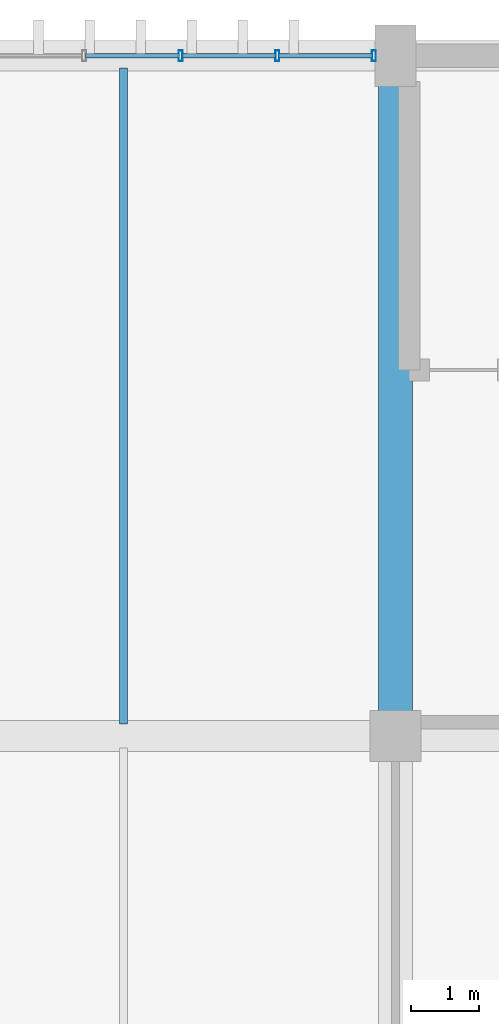
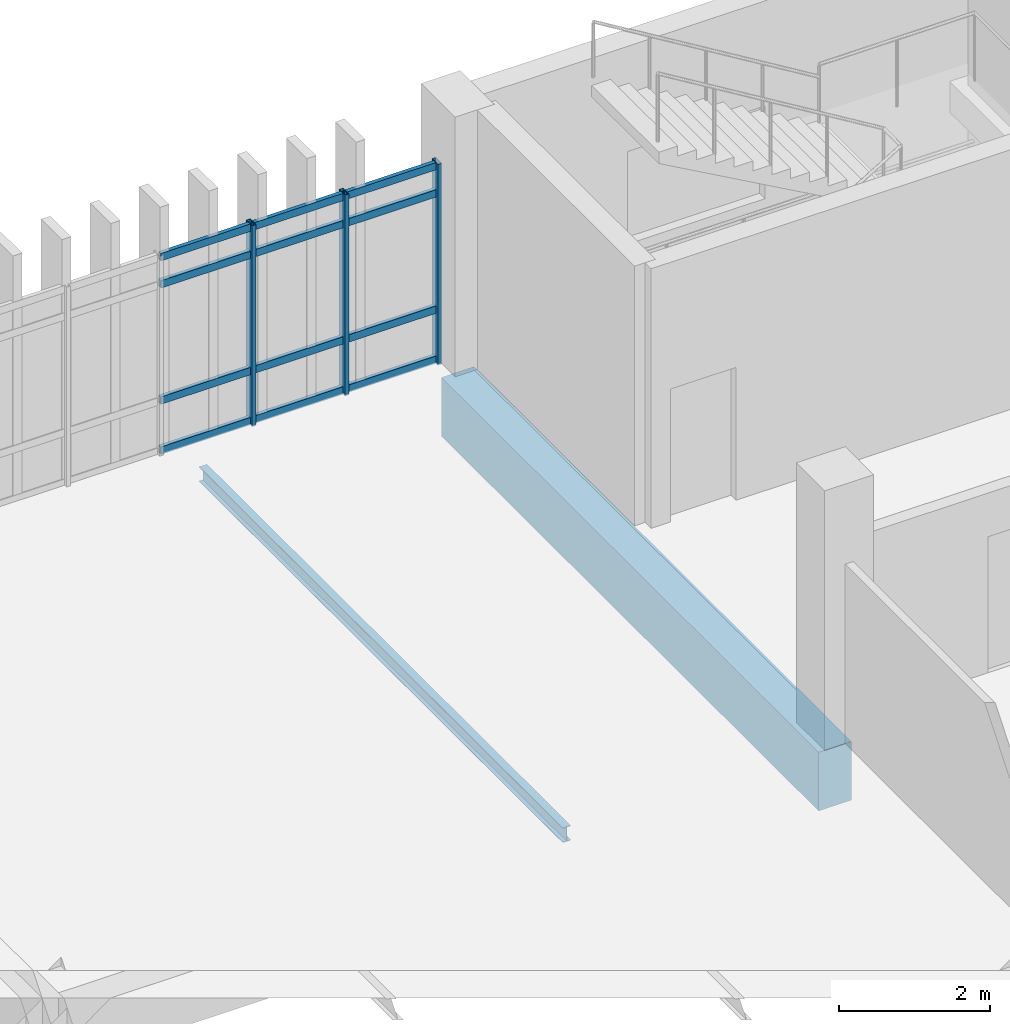
# One storey, part 33 of 111: 15 members, 2 beams, 1 element without a shape of its own.
"""IFC4 building model written with IfcOpenShell, lengths in metres."""

from ifc_helpers import new_model, si_unit, direction, frame, origin, origin_2d, place, context, subcontext, project, spatial, rectangle, hollow_rectangle, i_section, extrude, material, layer, layer_set, material_profile, profile_set, type_object, element, aggregate, save


model = new_model("IFC4")

# Units and contexts
model_context = context("Model", 3, precision=1e-05, world=origin(), true_north=direction((0.0, 1.0)))
body_context = subcontext(model_context, "Body", "Model", "MODEL_VIEW")
ifc_project = project(units=[si_unit("LENGTHUNIT", "METRE"), si_unit("AREAUNIT", "SQUARE_METRE"), si_unit("VOLUMEUNIT", "CUBIC_METRE"), si_unit("PLANEANGLEUNIT", "RADIAN"), si_unit("MASSUNIT", "GRAM", prefix="KILO")], contexts=[model_context])

# Site, building, storey
site_placement = place(None, origin())
site = spatial("IfcSite", under=ifc_project, at=site_placement, CompositionType="ELEMENT")
building_placement = place(site_placement, origin())
building = spatial("IfcBuilding", under=site, at=building_placement, Name="Mersad Railyard Sports Hall", CompositionType="ELEMENT")
storey_placement = place(building_placement, frame((0.0, 0.0, 9.0)))
storey = spatial("IfcBuildingStorey", under=building, at=storey_placement, Name="L02", CompositionType="ELEMENT", Elevation=9.0)

# Curtain wall, members
ifc_material_1 = material(Name="Aluminium 6063-T6", Category="aluminium")
ifc_layer = layer(ifc_material_1, 0.159912109375)
ifc_layer_set = layer_set([ifc_layer], Name="Aluminium 6063-T6")
curtain_wall_type = type_object("IfcCurtainWallType", Name="ARC-CW-CW52", PredefinedType="USERDEFINED", material=ifc_layer_set)
curtain_wall_placement = place(storey_placement, origin())
curtain_wall = element("IfcCurtainWall", 1, at=curtain_wall_placement, inside=storey, type_object=curtain_wall_type, Name="Curtain wall CW52-0139", ObjectType="CURTAIN WALL", PredefinedType="USERDEFINED")
ifc_material_profile_1 = material_profile(ifc_material_1, hollow_rectangle(XDim=0.06005859375, YDim=0.159912109375, WallThickness=0.00390625, at=origin_2d()), Name="AL MULLION 60x160x4")
ifc_profile_set_1 = profile_set([ifc_material_profile_1], Name="Aluminium 6063-T6")
member_type_1 = type_object("IfcMemberType", Name="ARC-CW-MUL01", PredefinedType="MULLION", material=ifc_profile_set_1)
member_1_placement = place(storey_placement, frame((63.840087890625, 115.0, -0.02001953125), z_axis=(0.0, 0.0, 1.0), x_axis=(1.0, 0.0, 0.0)))
member_1 = element("IfcMember", 2, at=member_1_placement, type_object=member_type_1, Name="CW52 Mullion 7", PredefinedType="MULLION", context=body_context, shape_type="SweptSolid", body=[
    extrude(hollow_rectangle(XDim=0.06005859375, YDim=0.159912109375, WallThickness=0.00390625, at=origin_2d()), origin(), (0.0, 0.0, 1.0), 3.25),
])
member_2_placement = place(storey_placement, frame((65.260009765625, 115.0, -0.02001953125), z_axis=(0.0, 0.0, 1.0), x_axis=(1.0, 0.0, 0.0)))
member_2 = element("IfcMember", 3, at=member_2_placement, type_object=member_type_1, Name="CW52 Mullion 8", PredefinedType="MULLION", context=body_context, shape_type="SweptSolid", body=[
    extrude(hollow_rectangle(XDim=0.06005859375, YDim=0.159912109375, WallThickness=0.00390625, at=origin_2d()), origin(), (0.0, 0.0, 1.0), 3.25),
])
member_3_placement = place(storey_placement, frame((66.679931640625, 115.0, -0.02001953125), z_axis=(0.0, 0.0, 1.0), x_axis=(1.0, 0.0, 0.0)))
member_3 = element("IfcMember", 4, at=member_3_placement, type_object=member_type_1, Name="CW52 Mullion 9", PredefinedType="MULLION", context=body_context, shape_type="SweptSolid", body=[
    extrude(hollow_rectangle(XDim=0.06005859375, YDim=0.159912109375, WallThickness=0.00390625, at=origin_2d()), origin(), (0.0, 0.0, 1.0), 3.25),
])
ifc_material_profile_2 = material_profile(ifc_material_1, hollow_rectangle(XDim=0.06005859375, YDim=0.1201171875, WallThickness=0.00390625, at=origin_2d()), Name="AL TRANSOM 60x120x4")
ifc_profile_set_2 = profile_set([ifc_material_profile_2], Name="Aluminium 6063-T6")
member_type_2 = type_object("IfcMemberType", Name="ARC-CW-TRN01", PredefinedType="USERDEFINED", material=ifc_profile_set_2)
member_4_placement = place(storey_placement, frame((62.43994140625, 115.0, 0.0400390625), z_axis=(1.0, 0.0, 0.0), x_axis=(0.0, 1.0, 0.0)))
member_4 = element("IfcMember", 5, at=member_4_placement, type_object=member_type_2, Name="CW52 Transom 1-6", ObjectType="TRANSOM", PredefinedType="USERDEFINED", context=body_context, shape_type="SweptSolid", body=[
    extrude(hollow_rectangle(XDim=0.06005859375, YDim=0.1201171875, WallThickness=0.00390625, at=origin_2d()), origin(), (0.0, 0.0, 1.0), 1.380126953125),
])
member_5_placement = place(storey_placement, frame((63.860107421875, 115.0, 0.0400390625), z_axis=(1.0, 0.0, 0.0), x_axis=(0.0, 1.0, 0.0)))
member_5 = element("IfcMember", 6, at=member_5_placement, type_object=member_type_2, Name="CW52 Transom 1-7", ObjectType="TRANSOM", PredefinedType="USERDEFINED", context=body_context, shape_type="SweptSolid", body=[
    extrude(hollow_rectangle(XDim=0.06005859375, YDim=0.1201171875, WallThickness=0.00390625, at=origin_2d()), origin(), (0.0, 0.0, 1.0), 1.3798828125),
])
member_6_placement = place(storey_placement, frame((65.280029296875, 115.0, 0.0400390625), z_axis=(1.0, 0.0, 0.0), x_axis=(0.0, 1.0, 0.0)))
member_6 = element("IfcMember", 7, at=member_6_placement, type_object=member_type_2, Name="CW52 Transom 1-8", ObjectType="TRANSOM", PredefinedType="USERDEFINED", context=body_context, shape_type="SweptSolid", body=[
    extrude(hollow_rectangle(XDim=0.06005859375, YDim=0.1201171875, WallThickness=0.00390625, at=origin_2d()), origin(), (0.0, 0.0, 1.0), 1.3798828125),
])
member_7_placement = place(storey_placement, frame((62.43994140625, 115.0, 0.85009765625), z_axis=(1.0, 0.0, 0.0), x_axis=(0.0, 1.0, 0.0)))
member_7 = element("IfcMember", 8, at=member_7_placement, type_object=member_type_2, Name="CW52 Transom 2-6", ObjectType="TRANSOM", PredefinedType="USERDEFINED", context=body_context, shape_type="SweptSolid", body=[
    extrude(hollow_rectangle(XDim=0.06005859375, YDim=0.1201171875, WallThickness=0.00390625, at=origin_2d()), origin(), (0.0, 0.0, 1.0), 1.380126953125),
])
member_8_placement = place(storey_placement, frame((63.860107421875, 115.0, 0.85009765625), z_axis=(1.0, 0.0, 0.0), x_axis=(0.0, 1.0, 0.0)))
member_8 = element("IfcMember", 9, at=member_8_placement, type_object=member_type_2, Name="CW52 Transom 2-7", ObjectType="TRANSOM", PredefinedType="USERDEFINED", context=body_context, shape_type="SweptSolid", body=[
    extrude(hollow_rectangle(XDim=0.06005859375, YDim=0.1201171875, WallThickness=0.00390625, at=origin_2d()), origin(), (0.0, 0.0, 1.0), 1.3798828125),
])
member_9_placement = place(storey_placement, frame((65.280029296875, 115.0, 0.85009765625), z_axis=(1.0, 0.0, 0.0), x_axis=(0.0, 1.0, 0.0)))
member_9 = element("IfcMember", 10, at=member_9_placement, type_object=member_type_2, Name="CW52 Transom 2-8", ObjectType="TRANSOM", PredefinedType="USERDEFINED", context=body_context, shape_type="SweptSolid", body=[
    extrude(hollow_rectangle(XDim=0.06005859375, YDim=0.1201171875, WallThickness=0.00390625, at=origin_2d()), origin(), (0.0, 0.0, 1.0), 1.3798828125),
])
member_10_placement = place(storey_placement, frame((62.43994140625, 115.0, 2.72998046875), z_axis=(1.0, 0.0, 0.0), x_axis=(0.0, 1.0, 0.0)))
member_10 = element("IfcMember", 11, at=member_10_placement, type_object=member_type_2, Name="CW52 Transom 3-6", ObjectType="TRANSOM", PredefinedType="USERDEFINED", context=body_context, shape_type="SweptSolid", body=[
    extrude(hollow_rectangle(XDim=0.06005859375, YDim=0.1201171875, WallThickness=0.00390625, at=origin_2d()), origin(), (0.0, 0.0, 1.0), 1.380126953125),
])
member_11_placement = place(storey_placement, frame((63.860107421875, 115.0, 2.72998046875), z_axis=(1.0, 0.0, 0.0), x_axis=(0.0, 1.0, 0.0)))
member_11 = element("IfcMember", 12, at=member_11_placement, type_object=member_type_2, Name="CW52 Transom 3-7", ObjectType="TRANSOM", PredefinedType="USERDEFINED", context=body_context, shape_type="SweptSolid", body=[
    extrude(hollow_rectangle(XDim=0.06005859375, YDim=0.1201171875, WallThickness=0.00390625, at=origin_2d()), origin(), (0.0, 0.0, 1.0), 1.3798828125),
])
member_12_placement = place(storey_placement, frame((65.280029296875, 115.0, 2.72998046875), z_axis=(1.0, 0.0, 0.0), x_axis=(0.0, 1.0, 0.0)))
member_12 = element("IfcMember", 13, at=member_12_placement, type_object=member_type_2, Name="CW52 Transom 3-8", ObjectType="TRANSOM", PredefinedType="USERDEFINED", context=body_context, shape_type="SweptSolid", body=[
    extrude(hollow_rectangle(XDim=0.06005859375, YDim=0.1201171875, WallThickness=0.00390625, at=origin_2d()), origin(), (0.0, 0.0, 1.0), 1.3798828125),
])
member_13_placement = place(storey_placement, frame((62.43994140625, 115.0, 3.169921875), z_axis=(1.0, 0.0, 0.0), x_axis=(0.0, 1.0, 0.0)))
member_13 = element("IfcMember", 14, at=member_13_placement, type_object=member_type_2, Name="CW52 Transom 4-6", ObjectType="TRANSOM", PredefinedType="USERDEFINED", context=body_context, shape_type="SweptSolid", body=[
    extrude(hollow_rectangle(XDim=0.06005859375, YDim=0.1201171875, WallThickness=0.00390625, at=origin_2d()), origin(), (0.0, 0.0, 1.0), 1.380126953125),
])
member_14_placement = place(storey_placement, frame((63.860107421875, 115.0, 3.169921875), z_axis=(1.0, 0.0, 0.0), x_axis=(0.0, 1.0, 0.0)))
member_14 = element("IfcMember", 15, at=member_14_placement, type_object=member_type_2, Name="CW52 Transom 4-7", ObjectType="TRANSOM", PredefinedType="USERDEFINED", context=body_context, shape_type="SweptSolid", body=[
    extrude(hollow_rectangle(XDim=0.06005859375, YDim=0.1201171875, WallThickness=0.00390625, at=origin_2d()), origin(), (0.0, 0.0, 1.0), 1.3798828125),
])
member_15_placement = place(storey_placement, frame((65.280029296875, 115.0, 3.169921875), z_axis=(1.0, 0.0, 0.0), x_axis=(0.0, 1.0, 0.0)))
member_15 = element("IfcMember", 16, at=member_15_placement, type_object=member_type_2, Name="CW52 Transom 4-8", ObjectType="TRANSOM", PredefinedType="USERDEFINED", context=body_context, shape_type="SweptSolid", body=[
    extrude(hollow_rectangle(XDim=0.06005859375, YDim=0.1201171875, WallThickness=0.00390625, at=origin_2d()), origin(), (0.0, 0.0, 1.0), 1.3798828125),
])
aggregate(curtain_wall, [member_1, member_2, member_3, member_4, member_5, member_6, member_7, member_8, member_9, member_10, member_11, member_12, member_13, member_14, member_15])

# Beams
ifc_material_2 = material(Name="Concrete C50/60", Category="concrete")
ifc_material_profile_3 = material_profile(ifc_material_2, rectangle(XDim=0.5, YDim=0.949951171875, at=origin_2d()), Name="RC 500x950")
ifc_profile_set_3 = profile_set([ifc_material_profile_3], Name="Concrete C50/60")
beam_type_1 = type_object("IfcBeamType", Name="STR-BM-B03", PredefinedType="BEAM", material=ifc_profile_set_3)
beam_1_placement = place(storey_placement, frame((67.0, 105.0, -0.77490234375), z_axis=(0.0, 1.0, 0.0), x_axis=(-1.0, 0.0, 0.0)))
element("IfcBeam", 17, at=beam_1_placement, inside=storey, type_object=beam_type_1, Name="Beam B03-1105", PredefinedType="BEAM", context=body_context, shape_type="SweptSolid", body=[
    extrude(rectangle(XDim=0.5, YDim=0.949951171875, at=origin_2d()), origin(), (0.0, 0.0, 1.0), 10.0),
])
ifc_material_3 = material(Name="Steel S355", Category="steel")
ifc_material_profile_4 = material_profile(ifc_material_3, i_section(OverallWidth=0.1201171875, OverallDepth=0.239990234375, WebThickness=0.006103515625, FlangeThickness=0.009765625, at=origin_2d()), Name="IPE 240")
ifc_profile_set_4 = profile_set([ifc_material_profile_4], Name="Steel S355")
beam_type_2 = type_object("IfcBeamType", Name="STR-BM-SB03", PredefinedType="BEAM", material=ifc_profile_set_4)
beam_2_placement = place(storey_placement, frame((63.0, 105.179931640625, -0.419921875), z_axis=(0.0, 1.0, 0.0), x_axis=(-1.0, 0.0, 0.0)))
element("IfcBeam", 18, at=beam_2_placement, inside=storey, type_object=beam_type_2, Name="Beam SB03-1160", PredefinedType="BEAM", context=body_context, shape_type="SweptSolid", body=[
    extrude(i_section(OverallWidth=0.1201171875, OverallDepth=0.239990234375, WebThickness=0.006103515625, FlangeThickness=0.009765625, at=origin_2d()), origin(), (0.0, 0.0, 1.0), 9.64013671875),
])

save(model, "model.ifc")
